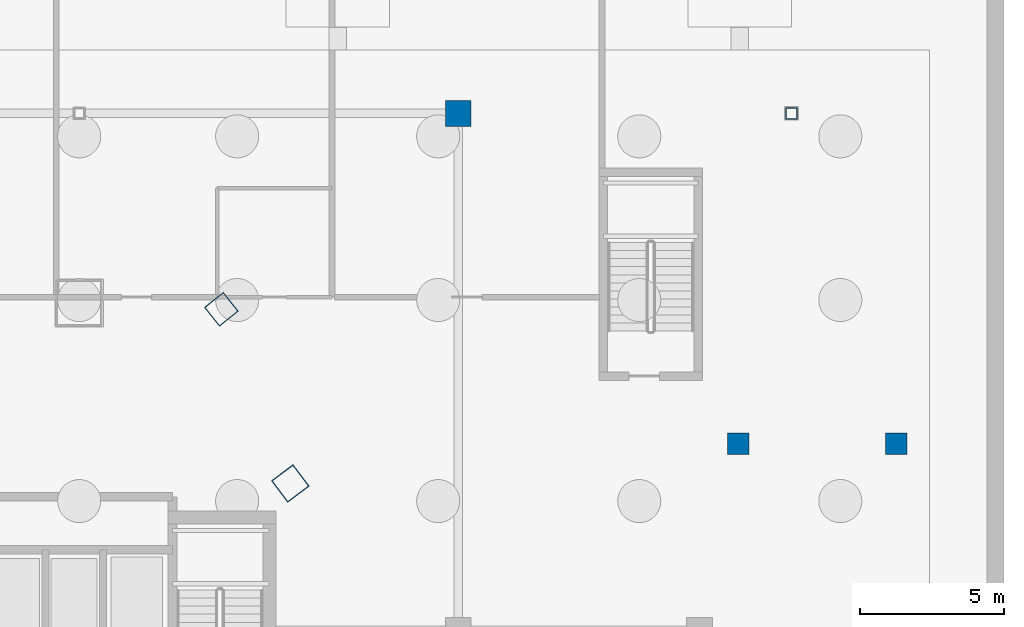
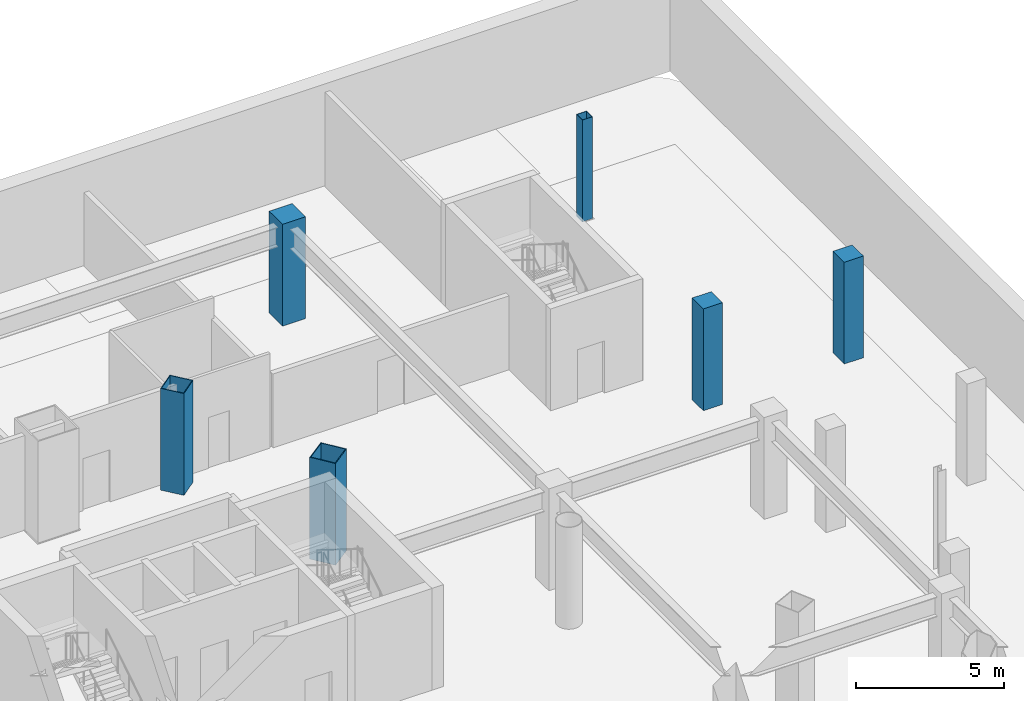
# One storey, part 5 of 12: 6 columns.
"""IFC4 building model written with IfcOpenShell, lengths in metres."""

import ifcopenshell
import ifcopenshell.guid

model = None  # the IFC model being written
_history = None  # IfcOwnerHistory: only IFC2X3 demands one
_inside = {}  # id of a spatial element -> (the spatial element, [elements in it])
_under = {}  # id of a project, library or spatial element -> (it, [spatial elements below it])
_declared = {}  # id of a project -> (the project, [libraries it declares])
_typed = {}  # id of a type object -> (the type object, [elements of that type])
_made_of = {}  # id of a material, layer set ... -> (it, [elements and type objects made of it])


def new_model(schema):
    """Start an empty IFC model of exactly this schema.

    Asked for "IFC4X3", IfcOpenShell would pick the latest addendum, in which some entities
    have other attributes; the version numbers below select the first issue.
    IFC2X3 requires an IfcOwnerHistory on every rooted entity: one is made here for all.
    """
    global model, _history
    if schema == "IFC4X3":
        model = ifcopenshell.file(schema_version=(4, 3, 0, 0))
    else:
        model = ifcopenshell.file(schema=schema)
    _inside.clear()
    _under.clear()
    _declared.clear()
    _typed.clear()
    _made_of.clear()
    _history = None
    if model.schema == "IFC2X3":
        org = make("IfcOrganization", Name="unknown")
        user = make(
            "IfcPersonAndOrganization",
            ThePerson=make("IfcPerson", FamilyName="unknown"),
            TheOrganization=org,
        )
        app = make(
            "IfcApplication",
            ApplicationDeveloper=org,
            Version="unknown",
            ApplicationFullName="unknown",
            ApplicationIdentifier="unknown",
        )
        _history = make(
            "IfcOwnerHistory",
            OwningUser=user,
            OwningApplication=app,
            ChangeAction="ADDED",
            CreationDate=0,
        )
    return model


def make(cls, **values):
    """One entity of the class cls with the attributes given. An attribute that is None is left unset."""
    return model.create_entity(
        cls, **{name: value for name, value in values.items() if value is not None}
    )


def rooted(cls, **values):
    """An entity with a GlobalId (a new one), such as an element, a storey or a relation."""
    return make(cls, GlobalId=ifcopenshell.guid.new(), OwnerHistory=_history, **values)


def si_unit(unit_type, name, prefix=None):
    """IfcSIUnit, for example si_unit("LENGTHUNIT", "METRE", prefix="MILLI")."""
    return make("IfcSIUnit", UnitType=unit_type, Prefix=prefix, Name=name)


def assignment(units):
    """IfcUnitAssignment: the units of a project."""
    return None if units is None else make("IfcUnitAssignment", Units=units)


def point(xyz):
    """IfcCartesianPoint."""
    return None if xyz is None else make("IfcCartesianPoint", Coordinates=xyz)


def direction(xyz):
    """IfcDirection."""
    return None if xyz is None else make("IfcDirection", DirectionRatios=xyz)


def frame(location, z_axis=None, x_axis=None):
    """IfcAxis2Placement3D, a coordinate frame: its origin and axes. An axis left out is left unset."""
    return make(
        "IfcAxis2Placement3D",
        Location=point(location),
        Axis=direction(z_axis),
        RefDirection=direction(x_axis),
    )


def frame_2d(location, x_axis=None):
    """IfcAxis2Placement2D, a coordinate frame in the plane: its origin and x axis."""
    return make(
        "IfcAxis2Placement2D", Location=point(location), RefDirection=direction(x_axis)
    )


def origin():
    """The frame at (0, 0, 0) with its axes left unset."""
    return frame((0.0, 0.0, 0.0))


def origin_2d():
    """The frame at (0, 0) in the plane with its x axis left unset."""
    return frame_2d((0.0, 0.0))


def place(relative_to, where):
    """IfcLocalPlacement: puts the frame where relative to a parent placement (None: the world)."""
    return make(
        "IfcLocalPlacement", PlacementRelTo=relative_to, RelativePlacement=where
    )


def context(
    kind, dimensions, precision=None, world=None, true_north=None, identifier=None
):
    """IfcGeometricRepresentationContext, for example the 3D "Model" context."""
    return make(
        "IfcGeometricRepresentationContext",
        ContextIdentifier=identifier,
        ContextType=kind,
        CoordinateSpaceDimension=dimensions,
        Precision=precision,
        WorldCoordinateSystem=world,
        TrueNorth=true_north,
    )


def subcontext(parent, identifier, kind, view, scale=None):
    """IfcGeometricRepresentationSubContext, for example "Body" below "Model"."""
    return make(
        "IfcGeometricRepresentationSubContext",
        ContextIdentifier=identifier,
        ContextType=kind,
        ParentContext=parent,
        TargetScale=scale,
        TargetView=view,
    )


def project(units=None, contexts=None):
    """IfcProject with its units and contexts."""
    return rooted(
        "IfcProject",
        Name="project",
        RepresentationContexts=contexts,
        UnitsInContext=assignment(units),
    )


def spatial(cls, under=None, at=None, **own):
    """A site, building, storey or space (cls), placed at a placement, below another one or the project."""
    s = rooted(cls, ObjectPlacement=at, **own)
    if under is not None:
        _under.setdefault(under.id(), (under, []))[1].append(s)
    return s


def profile(cls, at=None, kind="AREA", **sizes):
    """A parametric profile (cls). Its sizes go by their IFC names, for example OverallWidth=200.0."""
    return make(cls, ProfileType=kind, Position=at, **sizes)


def rectangle(**sizes):
    """IfcRectangleProfileDef."""
    return profile("IfcRectangleProfileDef", **sizes)


def hollow_rectangle(**sizes):
    """IfcRectangleHollowProfileDef."""
    return profile("IfcRectangleHollowProfileDef", **sizes)


def extrude(swept, where, along, depth):
    """IfcExtrudedAreaSolid: the profile swept, set in the frame where, extruded along a direction by depth."""
    return make(
        "IfcExtrudedAreaSolid",
        SweptArea=swept,
        Position=where,
        ExtrudedDirection=direction(along),
        Depth=depth,
    )


def shape(context_of_items, identifier, shape_type, items):
    """IfcShapeRepresentation: the items that make up one representation, for example the "Body"."""
    return make(
        "IfcShapeRepresentation",
        ContextOfItems=context_of_items,
        RepresentationIdentifier=identifier,
        RepresentationType=shape_type,
        Items=items,
    )


def material(Name=None, Category=None):
    """IfcMaterial."""
    return make("IfcMaterial", Name=Name, Category=Category)


def material_profile(
    of_material, cross_section, Name=None, Category=None, Priority=None
):
    """IfcMaterialProfile: a cross section and its material."""
    return make(
        "IfcMaterialProfile",
        Name=Name,
        Material=of_material,
        Profile=cross_section,
        Priority=Priority,
        Category=Category,
    )


def profile_set(profiles, Name=None, composite=None):
    """IfcMaterialProfileSet."""
    return make(
        "IfcMaterialProfileSet",
        Name=Name,
        MaterialProfiles=profiles,
        CompositeProfile=composite,
    )


def made_of(thing, what):
    """Note that an element or type object is made of a material, layer set ...; save() writes the relation."""
    if what is not None:
        _made_of.setdefault(what.id(), (what, []))[1].append(thing)
    return thing


def type_object(cls, material=None, **own):
    """A type object (cls), such as IfcWallType, which elements share."""
    return made_of(rooted(cls, **own), material)


def element(
    cls,
    number,
    at=None,
    inside=None,
    cuts=None,
    type_object=None,
    material=None,
    context=None,
    identifier="Body",
    shape_type=None,
    held_by="IfcProductDefinitionShape",
    body=None,
    shapes=None,
    **own,
):
    """One element of the class cls, such as IfcWall. Its Tag is "e" and its number.

    at: its placement. inside: the storey or other place that contains it. cuts: it is an
    opening in that element (IfcRelVoidsElement). A single representation is given by context,
    identifier, shape_type and body (its items); several are given by shapes. held_by: the class
    of the entity that holds the representations. save() writes the other relations.
    """
    e = rooted(cls, Tag="e%d" % number, ObjectPlacement=at, **own)
    if body is not None:
        shapes = [shape(context, identifier, shape_type, body)]
    if shapes is not None:
        e.Representation = make(held_by, Representations=shapes)
    if inside is not None:
        _inside.setdefault(inside.id(), (inside, []))[1].append(e)
    if cuts is not None:
        rooted(
            "IfcRelVoidsElement", RelatingBuildingElement=cuts, RelatedOpeningElement=e
        )
    if type_object is not None:
        _typed.setdefault(type_object.id(), (type_object, []))[1].append(e)
    return made_of(e, material)


def aggregate(whole, parts):
    """IfcRelAggregates: a whole, such as a stair, and the parts it consists of."""
    return rooted("IfcRelAggregates", RelatingObject=whole, RelatedObjects=parts)


def save(model, path):
    """Write the relations noted so far, then the file.

    IfcRelAggregates (storeys below a building ...), IfcRelContainedInSpatialStructure (elements
    in a storey), IfcRelDefinesByType, IfcRelAssociatesMaterial and IfcRelDeclares: one each for
    every whole, place, type object, material and project.
    """
    for whole, parts in _under.values():
        aggregate(whole, parts)
    for where, things in _inside.values():
        rooted(
            "IfcRelContainedInSpatialStructure",
            RelatedElements=things,
            RelatingStructure=where,
        )
    for kind, things in _typed.values():
        rooted("IfcRelDefinesByType", RelatedObjects=things, RelatingType=kind)
    for what, things in _made_of.values():
        rooted("IfcRelAssociatesMaterial", RelatedObjects=things, RelatingMaterial=what)
    for by, libraries in _declared.values():
        rooted("IfcRelDeclares", RelatingContext=by, RelatedDefinitions=libraries)
    model.write(path)


model = new_model("IFC4")

# Units and contexts
model_context = context("Model", 3, precision=1e-05, world=origin(), true_north=direction((0.0, 1.0)))
body_context = subcontext(model_context, "Body", "Model", "MODEL_VIEW")
ifc_project = project(units=[si_unit("LENGTHUNIT", "METRE"), si_unit("AREAUNIT", "SQUARE_METRE"), si_unit("VOLUMEUNIT", "CUBIC_METRE"), si_unit("PLANEANGLEUNIT", "RADIAN"), si_unit("MASSUNIT", "GRAM", prefix="KILO")], contexts=[model_context])

# Site, building, storey
site_placement = place(None, origin())
site = spatial("IfcSite", under=ifc_project, at=site_placement, CompositionType="ELEMENT")
building_placement = place(site_placement, origin())
building = spatial("IfcBuilding", under=site, at=building_placement, Name="Orvanel Arch Residences", CompositionType="ELEMENT")
storey_placement = place(building_placement, frame((0.0, 0.0, -8.39990234375)))
storey = spatial("IfcBuildingStorey", under=building, at=storey_placement, Name="B02", CompositionType="ELEMENT", Elevation=-8.39990234375)

# Columns
ifc_material_1 = material(Name="Structural steel AS/NZS 1163 C450L0 (Grade 450)", Category="steel")
ifc_material_profile_1 = material_profile(ifc_material_1, hollow_rectangle(XDim=0.39990234375, YDim=0.39990234375, WallThickness=0.01611328125, at=origin_2d()), Name="SHS400x400x16")
ifc_profile_set_1 = profile_set([ifc_material_profile_1], Name="Structural steel AS/NZS 1163 C450L0 (Grade 450)")
column_type_1 = type_object("IfcColumnType", Name="OC-400SHS", PredefinedType="COLUMN", material=ifc_profile_set_1)
column_1_placement = place(storey_placement, frame((57.800048828125, 48.0, 0.0), z_axis=(0.0, 0.0, 1.0), x_axis=(1.0, 0.0, 0.0)))
element("IfcColumn", 1, at=column_1_placement, inside=storey, type_object=column_type_1, Name="B02 Auxiliary Podium Column 06", PredefinedType="COLUMN", context=body_context, shape_type="SweptSolid", body=[
    extrude(hollow_rectangle(XDim=0.39990234375, YDim=0.39990234375, WallThickness=0.01611328125, at=origin_2d()), origin(), (0.0, 0.0, 1.0), 4.199951171875),
])
ifc_material_2 = material(Name="Concrete S65 (65 MPa)", Category="concrete")
ifc_material_profile_2 = material_profile(ifc_material_2, rectangle(XDim=0.75, YDim=0.75, at=origin_2d()), Name="RC750x750")
ifc_profile_set_2 = profile_set([ifc_material_profile_2], Name="Concrete S65 (65 MPa)")
column_type_2 = type_object("IfcColumnType", Name="PC-750", PredefinedType="COLUMN", material=ifc_profile_set_2)
for number, where, z_axis, x_axis, name in (
    (2, (55.949951171875, 36.5, 0.0), (0.0, 0.0, 1.0), (1.0, 0.0, 0.0), "B02 East Ramp Support Column"),
    (3, (61.449951171875, 36.5, 0.0), (0.0, 0.0, 1.0), (1.0, 0.0, 0.0), "B02 East Ramp Support Column"),
):
    element("IfcColumn", number, at=place(storey_placement, frame(where, z_axis=z_axis, x_axis=x_axis)), inside=storey, type_object=column_type_2, Name=name, PredefinedType="COLUMN", context=body_context, shape_type="SweptSolid", body=[
        extrude(rectangle(XDim=0.75, YDim=0.75, at=origin_2d()), origin(), (0.0, 0.0, 1.0), 4.199951171875),
    ])
ifc_material_profile_3 = material_profile(ifc_material_2, rectangle(XDim=0.89990234375, YDim=0.89990234375, at=origin_2d()), Name="RC900x900")
ifc_profile_set_3 = profile_set([ifc_material_profile_3], Name="Concrete S65 (65 MPa)")
column_type_3 = type_object("IfcColumnType", Name="PC-900", PredefinedType="COLUMN", material=ifc_profile_set_3)
column_2_placement = place(storey_placement, frame((46.199951171875, 48.0, 0.0), z_axis=(0.0, 0.0, 1.0), x_axis=(1.0, 0.0, 0.0)))
element("IfcColumn", 4, at=column_2_placement, inside=storey, type_object=column_type_3, Name="B02 Podium Grid Column 11", PredefinedType="COLUMN", context=body_context, shape_type="SweptSolid", body=[
    extrude(rectangle(XDim=0.89990234375, YDim=0.89990234375, at=origin_2d()), origin(), (0.0, 0.0, 1.0), 4.199951171875),
])
ifc_material_3 = material(Name="Structural steel AS/NZS 3678 Grade 350", Category="steel")
ifc_material_profile_4 = material_profile(ifc_material_3, hollow_rectangle(XDim=0.85009765625, YDim=0.85009765625, WallThickness=0.028076171875, at=origin_2d()), Name="BOX850x850x28")
ifc_profile_set_4 = profile_set([ifc_material_profile_4], Name="Structural steel AS/NZS 3678 Grade 350")
column_type_4 = type_object("IfcColumnType", Name="TC-850", PredefinedType="COLUMN", material=ifc_profile_set_4)
column_3_placement = place(storey_placement, frame((37.949951171875, 41.177978515625, 0.0), z_axis=(0.0, 0.0, 1.0), x_axis=(-0.623879596709, 0.781520472419, 0.0)))
element("IfcColumn", 5, at=column_3_placement, inside=storey, type_object=column_type_4, Name="B02 Mid-Rise Buttress Tube Column 06", PredefinedType="COLUMN", context=body_context, shape_type="SweptSolid", body=[
    extrude(hollow_rectangle(XDim=0.85009765625, YDim=0.85009765625, WallThickness=0.028076171875, at=origin_2d()), origin(), (0.0, 0.0, 1.0), 4.199951171875),
])
ifc_material_profile_5 = material_profile(ifc_material_3, hollow_rectangle(XDim=0.949951171875, YDim=0.949951171875, WallThickness=0.031982421875, at=origin_2d()), Name="BOX950x950x32")
ifc_profile_set_5 = profile_set([ifc_material_profile_5], Name="Structural steel AS/NZS 3678 Grade 350")
column_type_5 = type_object("IfcColumnType", Name="TC-950", PredefinedType="COLUMN", material=ifc_profile_set_5)
column_4_placement = place(storey_placement, frame((40.35205078125, 35.113037109375, 0.0), z_axis=(0.0, 0.0, 1.0), x_axis=(-0.600420225326, 0.799684658487, 0.0)))
element("IfcColumn", 6, at=column_4_placement, inside=storey, type_object=column_type_5, Name="B02 High-Rise Tube Column 09", PredefinedType="COLUMN", context=body_context, shape_type="SweptSolid", body=[
    extrude(hollow_rectangle(XDim=0.949951171875, YDim=0.949951171875, WallThickness=0.031982421875, at=origin_2d()), origin(), (0.0, 0.0, 1.0), 4.199951171875),
])

save(model, "model.ifc")
